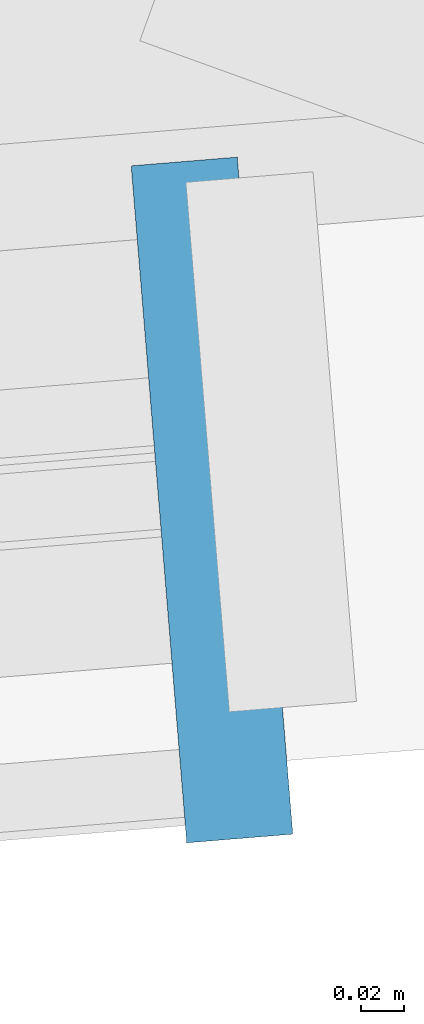
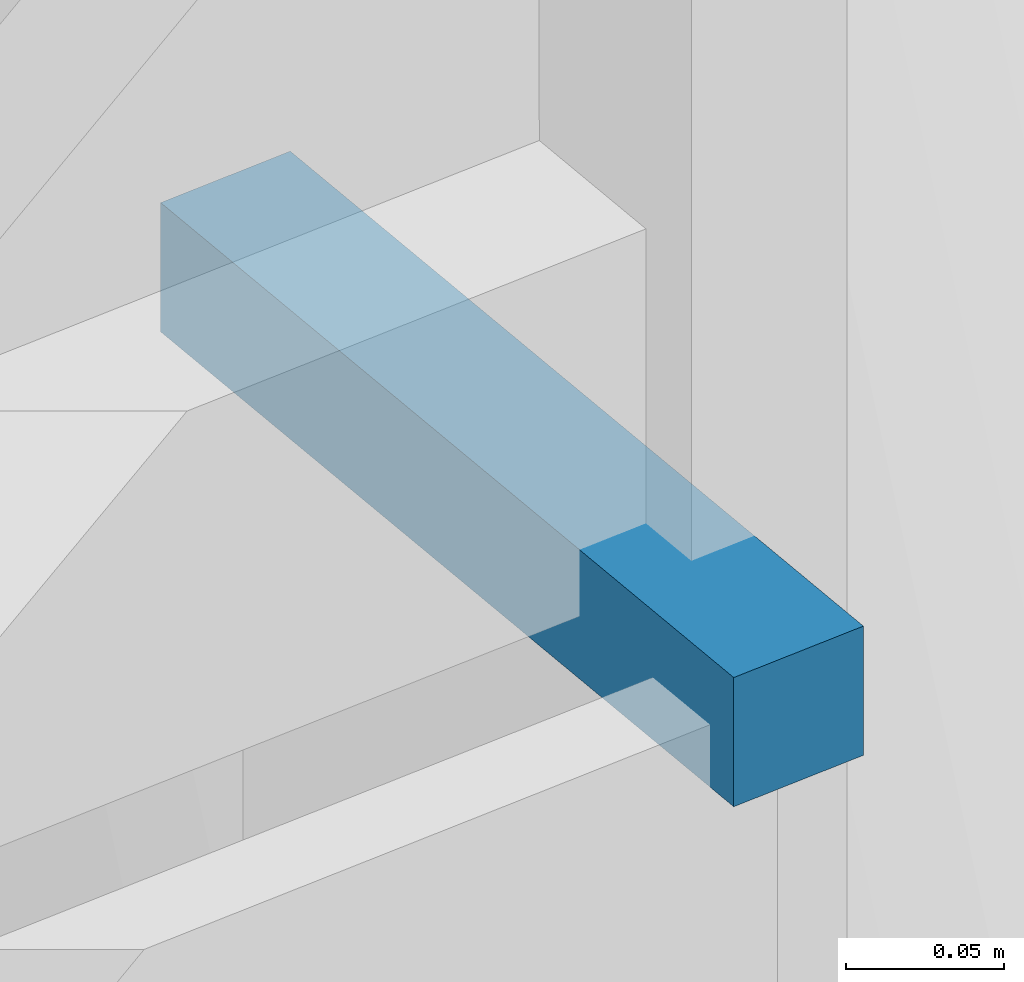
# One storey, part 29 of 33: 1 discrete accessory, 1 element without a shape of its own.
"""IFC4 building model written with IfcOpenShell, lengths in metres."""

import ifcopenshell
import ifcopenshell.guid

model = None  # the IFC model being written
_history = None  # IfcOwnerHistory: only IFC2X3 demands one
_inside = {}  # id of a spatial element -> (the spatial element, [elements in it])
_under = {}  # id of a project, library or spatial element -> (it, [spatial elements below it])
_declared = {}  # id of a project -> (the project, [libraries it declares])
_typed = {}  # id of a type object -> (the type object, [elements of that type])
_made_of = {}  # id of a material, layer set ... -> (it, [elements and type objects made of it])


def new_model(schema):
    """Start an empty IFC model of exactly this schema.

    Asked for "IFC4X3", IfcOpenShell would pick the latest addendum, in which some entities
    have other attributes; the version numbers below select the first issue.
    IFC2X3 requires an IfcOwnerHistory on every rooted entity: one is made here for all.
    """
    global model, _history
    if schema == "IFC4X3":
        model = ifcopenshell.file(schema_version=(4, 3, 0, 0))
    else:
        model = ifcopenshell.file(schema=schema)
    _inside.clear()
    _under.clear()
    _declared.clear()
    _typed.clear()
    _made_of.clear()
    _history = None
    if model.schema == "IFC2X3":
        org = make("IfcOrganization", Name="unknown")
        user = make(
            "IfcPersonAndOrganization",
            ThePerson=make("IfcPerson", FamilyName="unknown"),
            TheOrganization=org,
        )
        app = make(
            "IfcApplication",
            ApplicationDeveloper=org,
            Version="unknown",
            ApplicationFullName="unknown",
            ApplicationIdentifier="unknown",
        )
        _history = make(
            "IfcOwnerHistory",
            OwningUser=user,
            OwningApplication=app,
            ChangeAction="ADDED",
            CreationDate=0,
        )
    return model


def make(cls, **values):
    """One entity of the class cls with the attributes given. An attribute that is None is left unset."""
    return model.create_entity(
        cls, **{name: value for name, value in values.items() if value is not None}
    )


def rooted(cls, **values):
    """An entity with a GlobalId (a new one), such as an element, a storey or a relation."""
    return make(cls, GlobalId=ifcopenshell.guid.new(), OwnerHistory=_history, **values)


def si_unit(unit_type, name, prefix=None):
    """IfcSIUnit, for example si_unit("LENGTHUNIT", "METRE", prefix="MILLI")."""
    return make("IfcSIUnit", UnitType=unit_type, Prefix=prefix, Name=name)


def assignment(units):
    """IfcUnitAssignment: the units of a project."""
    return None if units is None else make("IfcUnitAssignment", Units=units)


def point(xyz):
    """IfcCartesianPoint."""
    return None if xyz is None else make("IfcCartesianPoint", Coordinates=xyz)


def direction(xyz):
    """IfcDirection."""
    return None if xyz is None else make("IfcDirection", DirectionRatios=xyz)


def frame(location, z_axis=None, x_axis=None):
    """IfcAxis2Placement3D, a coordinate frame: its origin and axes. An axis left out is left unset."""
    return make(
        "IfcAxis2Placement3D",
        Location=point(location),
        Axis=direction(z_axis),
        RefDirection=direction(x_axis),
    )


def frame_2d(location, x_axis=None):
    """IfcAxis2Placement2D, a coordinate frame in the plane: its origin and x axis."""
    return make(
        "IfcAxis2Placement2D", Location=point(location), RefDirection=direction(x_axis)
    )


def origin():
    """The frame at (0, 0, 0) with its axes left unset."""
    return frame((0.0, 0.0, 0.0))


def origin_2d():
    """The frame at (0, 0) in the plane with its x axis left unset."""
    return frame_2d((0.0, 0.0))


def place(relative_to, where):
    """IfcLocalPlacement: puts the frame where relative to a parent placement (None: the world)."""
    return make(
        "IfcLocalPlacement", PlacementRelTo=relative_to, RelativePlacement=where
    )


def context(
    kind, dimensions, precision=None, world=None, true_north=None, identifier=None
):
    """IfcGeometricRepresentationContext, for example the 3D "Model" context."""
    return make(
        "IfcGeometricRepresentationContext",
        ContextIdentifier=identifier,
        ContextType=kind,
        CoordinateSpaceDimension=dimensions,
        Precision=precision,
        WorldCoordinateSystem=world,
        TrueNorth=true_north,
    )


def subcontext(parent, identifier, kind, view, scale=None):
    """IfcGeometricRepresentationSubContext, for example "Body" below "Model"."""
    return make(
        "IfcGeometricRepresentationSubContext",
        ContextIdentifier=identifier,
        ContextType=kind,
        ParentContext=parent,
        TargetScale=scale,
        TargetView=view,
    )


def project(units=None, contexts=None):
    """IfcProject with its units and contexts."""
    return rooted(
        "IfcProject",
        Name="project",
        RepresentationContexts=contexts,
        UnitsInContext=assignment(units),
    )


def spatial(cls, under=None, at=None, **own):
    """A site, building, storey or space (cls), placed at a placement, below another one or the project."""
    s = rooted(cls, ObjectPlacement=at, **own)
    if under is not None:
        _under.setdefault(under.id(), (under, []))[1].append(s)
    return s


def profile(cls, at=None, kind="AREA", **sizes):
    """A parametric profile (cls). Its sizes go by their IFC names, for example OverallWidth=200.0."""
    return make(cls, ProfileType=kind, Position=at, **sizes)


def rectangle(**sizes):
    """IfcRectangleProfileDef."""
    return profile("IfcRectangleProfileDef", **sizes)


def extrude(swept, where, along, depth):
    """IfcExtrudedAreaSolid: the profile swept, set in the frame where, extruded along a direction by depth."""
    return make(
        "IfcExtrudedAreaSolid",
        SweptArea=swept,
        Position=where,
        ExtrudedDirection=direction(along),
        Depth=depth,
    )


def shape(context_of_items, identifier, shape_type, items):
    """IfcShapeRepresentation: the items that make up one representation, for example the "Body"."""
    return make(
        "IfcShapeRepresentation",
        ContextOfItems=context_of_items,
        RepresentationIdentifier=identifier,
        RepresentationType=shape_type,
        Items=items,
    )


def material(Name=None, Category=None):
    """IfcMaterial."""
    return make("IfcMaterial", Name=Name, Category=Category)


def layer(
    of_material, thickness, ventilated=None, Name=None, Category=None, Priority=None
):
    """IfcMaterialLayer: one layer of a wall or slab, of a material (None: an air gap)."""
    return make(
        "IfcMaterialLayer",
        Material=of_material,
        LayerThickness=thickness,
        IsVentilated=ventilated,
        Name=Name,
        Category=Category,
        Priority=Priority,
    )


def layer_set(layers, Name=None):
    """IfcMaterialLayerSet."""
    return make("IfcMaterialLayerSet", MaterialLayers=layers, LayerSetName=Name)


def made_of(thing, what):
    """Note that an element or type object is made of a material, layer set ...; save() writes the relation."""
    if what is not None:
        _made_of.setdefault(what.id(), (what, []))[1].append(thing)
    return thing


def type_object(cls, material=None, **own):
    """A type object (cls), such as IfcWallType, which elements share."""
    return made_of(rooted(cls, **own), material)


def element(
    cls,
    number,
    at=None,
    inside=None,
    cuts=None,
    type_object=None,
    material=None,
    context=None,
    identifier="Body",
    shape_type=None,
    held_by="IfcProductDefinitionShape",
    body=None,
    shapes=None,
    **own,
):
    """One element of the class cls, such as IfcWall. Its Tag is "e" and its number.

    at: its placement. inside: the storey or other place that contains it. cuts: it is an
    opening in that element (IfcRelVoidsElement). A single representation is given by context,
    identifier, shape_type and body (its items); several are given by shapes. held_by: the class
    of the entity that holds the representations. save() writes the other relations.
    """
    e = rooted(cls, Tag="e%d" % number, ObjectPlacement=at, **own)
    if body is not None:
        shapes = [shape(context, identifier, shape_type, body)]
    if shapes is not None:
        e.Representation = make(held_by, Representations=shapes)
    if inside is not None:
        _inside.setdefault(inside.id(), (inside, []))[1].append(e)
    if cuts is not None:
        rooted(
            "IfcRelVoidsElement", RelatingBuildingElement=cuts, RelatedOpeningElement=e
        )
    if type_object is not None:
        _typed.setdefault(type_object.id(), (type_object, []))[1].append(e)
    return made_of(e, material)


def aggregate(whole, parts):
    """IfcRelAggregates: a whole, such as a stair, and the parts it consists of."""
    return rooted("IfcRelAggregates", RelatingObject=whole, RelatedObjects=parts)


def save(model, path):
    """Write the relations noted so far, then the file.

    IfcRelAggregates (storeys below a building ...), IfcRelContainedInSpatialStructure (elements
    in a storey), IfcRelDefinesByType, IfcRelAssociatesMaterial and IfcRelDeclares: one each for
    every whole, place, type object, material and project.
    """
    for whole, parts in _under.values():
        aggregate(whole, parts)
    for where, things in _inside.values():
        rooted(
            "IfcRelContainedInSpatialStructure",
            RelatedElements=things,
            RelatingStructure=where,
        )
    for kind, things in _typed.values():
        rooted("IfcRelDefinesByType", RelatedObjects=things, RelatingType=kind)
    for what, things in _made_of.values():
        rooted("IfcRelAssociatesMaterial", RelatedObjects=things, RelatingMaterial=what)
    for by, libraries in _declared.values():
        rooted("IfcRelDeclares", RelatingContext=by, RelatedDefinitions=libraries)
    model.write(path)


model = new_model("IFC4")

# Units and contexts
model_context = context("Model", 3, precision=1e-05, world=origin(), true_north=direction((0.0, 1.0)))
body_context = subcontext(model_context, "Body", "Model", "MODEL_VIEW")
ifc_project = project(units=[si_unit("LENGTHUNIT", "METRE"), si_unit("AREAUNIT", "SQUARE_METRE"), si_unit("VOLUMEUNIT", "CUBIC_METRE"), si_unit("PLANEANGLEUNIT", "RADIAN"), si_unit("MASSUNIT", "GRAM", prefix="KILO")], contexts=[model_context])

# Site, building, storey
site_placement = place(None, origin())
site = spatial("IfcSite", under=ifc_project, at=site_placement, CompositionType="ELEMENT")
building_placement = place(site_placement, origin())
building = spatial("IfcBuilding", under=site, at=building_placement, Name="Mestral Congress Tower", CompositionType="ELEMENT")
storey_placement = place(building_placement, frame((0.0, 0.0, 134.39990234375)))
storey = spatial("IfcBuildingStorey", under=building, at=storey_placement, Name="L32", CompositionType="ELEMENT", Elevation=134.39990234375)

# Curtain wall, discrete accessory
ifc_material_1 = material(Name="Clear low-emissivity double glazing", Category="glass")
curtain_wall_type = type_object("IfcCurtainWallType", Name="Facade sky lobby curtain wall", PredefinedType="USERDEFINED", material=ifc_material_1)
curtain_wall_placement = place(storey_placement, origin())
curtain_wall = element("IfcCurtainWall", 1, at=curtain_wall_placement, inside=storey, type_object=curtain_wall_type, Name="Facade sky lobby curtain wall face 1", ObjectType="CURTAIN WALL", PredefinedType="USERDEFINED")
ifc_material_2 = material(Name="Steel S355", Category="steel")
ifc_layer = layer(ifc_material_2, 0.050048828125)
ifc_layer_set = layer_set([ifc_layer], Name="Steel S355")
discrete_accessory_type = type_object("IfcDiscreteAccessoryType", Name="Facade bracket", PredefinedType="BRACKET", material=ifc_layer_set)
discrete_accessory_placement = place(storey_placement, frame((24.88818359375, -20.978515625, 3.10498046875), z_axis=(0.0, 0.0, 1.0), x_axis=(0.996652243406, 0.081757603401, 0.0)))
discrete_accessory = element("IfcDiscreteAccessory", 2, at=discrete_accessory_placement, type_object=discrete_accessory_type, Name="Facade bracket", PredefinedType="BRACKET", context=body_context, shape_type="SweptSolid", body=[
    extrude(rectangle(XDim=0.050048828125, YDim=0.319580078125, at=origin_2d()), origin(), (0.0, 0.0, 1.0), 0.050048828125),
])
aggregate(curtain_wall, [discrete_accessory])

save(model, "model.ifc")
